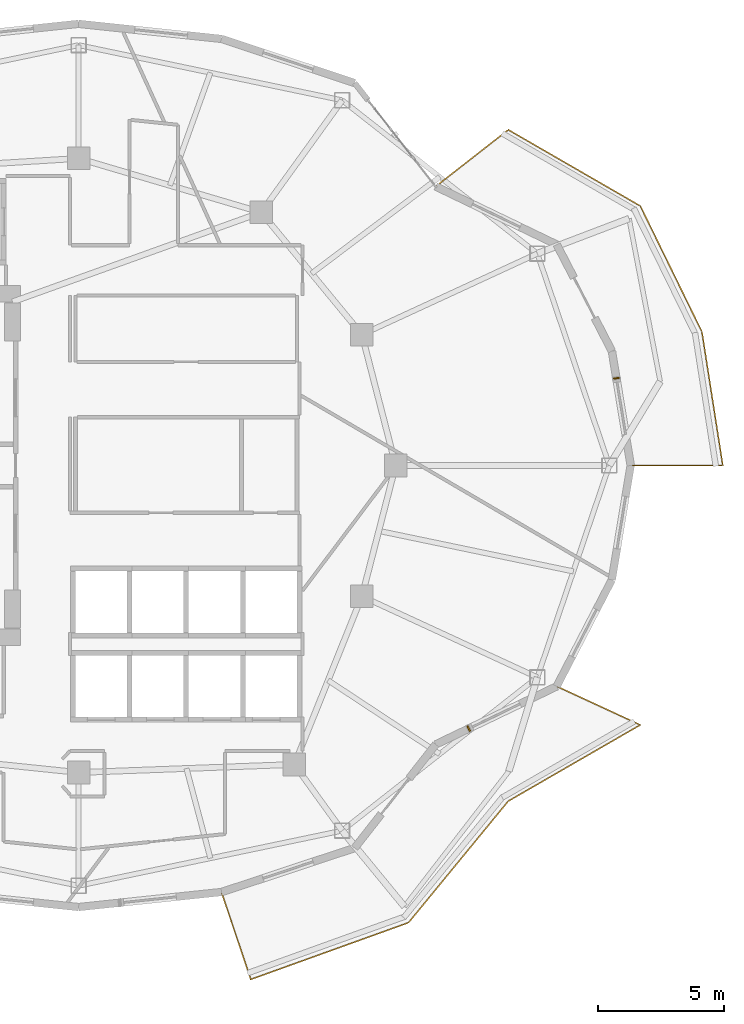
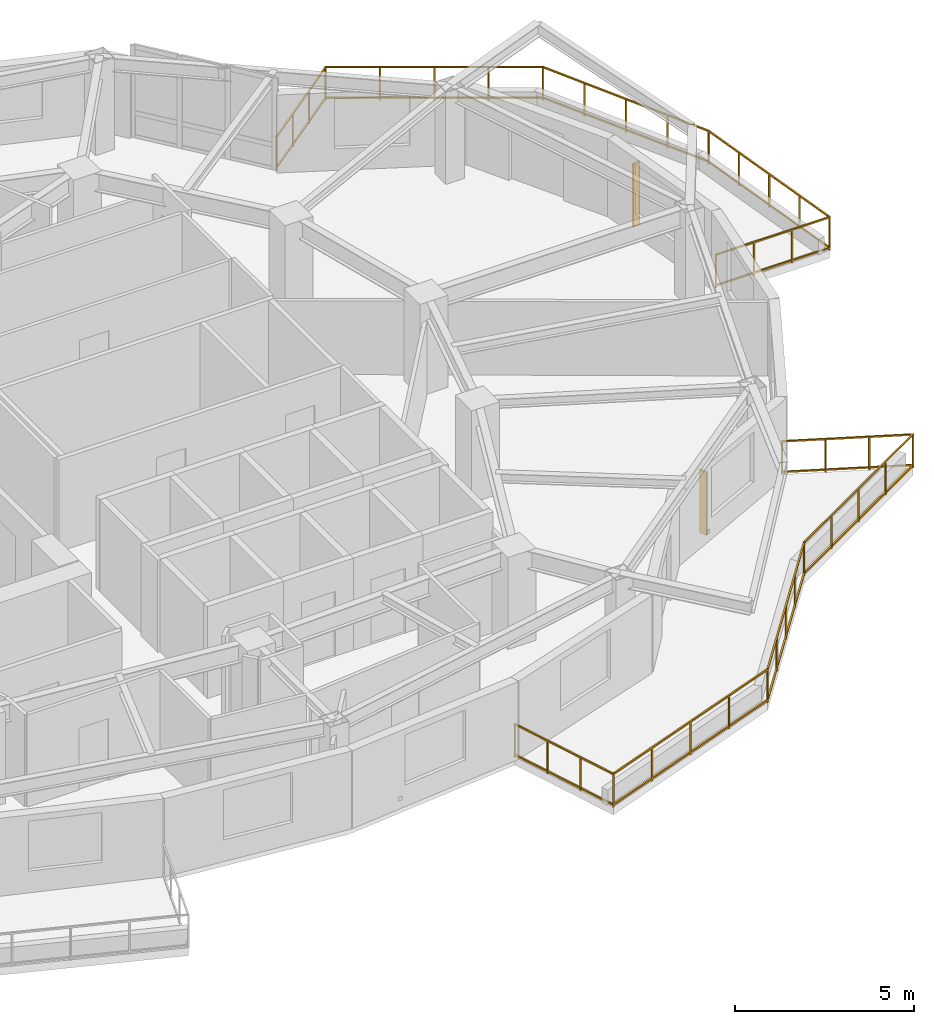
# One storey, part 12 of 13: 2 railings, 2 shading devices.
"""IFC4 building model written with IfcOpenShell, lengths in metres."""

from ifc_helpers import new_model, si_unit, direction, frame, origin, origin_2d, place, context, subcontext, project, spatial, rectangle, extrude, material, type_object, element, save


model = new_model("IFC4")

# Units and contexts
model_context = context("Model", 3, precision=1e-05, world=origin(), true_north=direction((0.0, 1.0)))
body_context = subcontext(model_context, "Body", "Model", "MODEL_VIEW")
ifc_project = project(units=[si_unit("LENGTHUNIT", "METRE"), si_unit("AREAUNIT", "SQUARE_METRE"), si_unit("VOLUMEUNIT", "CUBIC_METRE"), si_unit("PLANEANGLEUNIT", "RADIAN"), si_unit("MASSUNIT", "GRAM", prefix="KILO")], contexts=[model_context])

# Site, building, storey
site_placement = place(None, origin())
site = spatial("IfcSite", under=ifc_project, at=site_placement, CompositionType="ELEMENT")
building_placement = place(site_placement, origin())
building = spatial("IfcBuilding", under=site, at=building_placement, Name="Kolvaren Gate Tower and Convention Centre", CompositionType="ELEMENT")
storey_placement = place(building_placement, frame((0.0, 0.0, 142.699951171875)))
storey = spatial("IfcBuildingStorey", under=building, at=storey_placement, Name="L36", CompositionType="ELEMENT", Elevation=142.699951171875)

# Railings
ifc_material_1 = material(Name="Brushed Stainless Steel Grade 316L", Category="steel")
railing_type = type_object("IfcRailingType", Name="ARCH-RL-GUARD-1150", PredefinedType="GUARDRAIL", material=ifc_material_1)
railing_1_placement = place(storey_placement, frame((52.0625, 27.0, 0.0)))
element("IfcRailing", 1, at=railing_1_placement, inside=storey, type_object=railing_type, Name="Tower L36 Terrace Perimeter Guardrail GR-1", PredefinedType="GUARDRAIL", context=body_context, shape_type="SweptSolid", body=[
    extrude(rectangle(XDim=0.048095703125, YDim=0.048095703125, at=origin_2d()), frame((0.028076171875, 0.0, 1.1259765625), z_axis=(1.0, 0.0, 0.0), x_axis=(0.0, 1.0, 0.0)), (0.0, 0.0, 1.0), 3.603759765625),
    extrude(rectangle(XDim=0.048095703125, YDim=0.048095703125, at=origin_2d()), frame((0.028076171875, 0.0, 0.083984375), z_axis=(1.0, 0.0, 0.0), x_axis=(0.0, 1.0, 0.0)), (0.0, 0.0, 1.0), 3.603759765625),
    extrude(rectangle(XDim=0.048095703125, YDim=0.048095703125, at=origin_2d()), frame((3.655517578125, 0.02783203125, 1.1259765625), z_axis=(-0.154200861408, 0.988039520637, 0.0), x_axis=(-0.988039520637, -0.154200861408, 0.0)), (0.0, 0.0, 1.0), 5.3173828125),
    extrude(rectangle(XDim=0.048095703125, YDim=0.048095703125, at=origin_2d()), frame((3.655517578125, 0.02783203125, 0.083984375), z_axis=(-0.154200861408, 0.988039520637, 0.0), x_axis=(-0.988039520637, -0.154200861408, 0.0)), (0.0, 0.0, 1.0), 5.3173828125),
    extrude(rectangle(XDim=0.048095703125, YDim=0.048095703125, at=origin_2d()), frame((2.81884765625, 5.33447265625, 1.1259765625), z_axis=(-0.439655234701, 0.898166618507, 0.0), x_axis=(-0.898166618507, -0.439655234701, 0.0)), (0.0, 0.0, 1.0), 5.51123046875),
    extrude(rectangle(XDim=0.048095703125, YDim=0.048095703125, at=origin_2d()), frame((2.81884765625, 5.33447265625, 0.083984375), z_axis=(-0.439655234701, 0.898166618507, 0.0), x_axis=(-0.898166618507, -0.439655234701, 0.0)), (0.0, 0.0, 1.0), 5.51123046875),
    extrude(rectangle(XDim=0.048095703125, YDim=0.048095703125, at=origin_2d()), frame((0.359375, 10.32373046875, 1.1259765625), z_axis=(-0.866075571306, 0.499913097234, 0.0), x_axis=(-0.499913097234, -0.866075571306, 0.0)), (0.0, 0.0, 1.0), 6.004150390625),
    extrude(rectangle(XDim=0.048095703125, YDim=0.048095703125, at=origin_2d()), frame((0.359375, 10.32373046875, 0.083984375), z_axis=(-0.866075571306, 0.499913097234, 0.0), x_axis=(-0.499913097234, -0.866075571306, 0.0)), (0.0, 0.0, 1.0), 6.004150390625),
    extrude(rectangle(XDim=0.048095703125, YDim=0.048095703125, at=origin_2d()), frame((-4.88720703125, 13.322021484375, 1.1259765625), z_axis=(-0.787988976981, -0.61568934712, 0.0), x_axis=(0.61568934712, -0.787988976981, 0.0)), (0.0, 0.0, 1.0), 3.60400390625),
    extrude(rectangle(XDim=0.048095703125, YDim=0.048095703125, at=origin_2d()), frame((-4.88720703125, 13.322021484375, 0.083984375), z_axis=(-0.787988976981, -0.61568934712, 0.0), x_axis=(0.61568934712, -0.787988976981, 0.0)), (0.0, 0.0, 1.0), 3.60400390625),
    extrude(rectangle(XDim=0.0419921875, YDim=0.0419921875, at=origin_2d()), origin(), (0.0, 0.0, 1.0), 1.14990234375),
    extrude(rectangle(XDim=0.0419921875, YDim=0.0419921875, at=origin_2d()), frame((3.659912109375, 0.0, 0.0)), (0.0, 0.0, 1.0), 1.14990234375),
    extrude(rectangle(XDim=0.0419921875, YDim=0.0419921875, at=origin_2d()), frame((1.219970703125, 0.0, 0.0)), (0.0, 0.0, 1.0), 1.099853515625),
    extrude(rectangle(XDim=0.0419921875, YDim=0.0419921875, at=origin_2d()), frame((2.43994140625, 0.0, 0.0)), (0.0, 0.0, 1.0), 1.099853515625),
    extrude(rectangle(XDim=0.0419921875, YDim=0.0419921875, at=origin_2d()), frame((2.831298828125, 5.309326171875, 0.0)), (0.0, 0.0, 1.0), 1.14990234375),
    extrude(rectangle(XDim=0.0419921875, YDim=0.0419921875, at=origin_2d()), frame((3.45263671875, 1.327392578125, 0.0)), (0.0, 0.0, 1.0), 1.099853515625),
    extrude(rectangle(XDim=0.0419921875, YDim=0.0419921875, at=origin_2d()), frame((3.24560546875, 2.65478515625, 0.0)), (0.0, 0.0, 1.0), 1.099853515625),
    extrude(rectangle(XDim=0.0419921875, YDim=0.0419921875, at=origin_2d()), frame((3.03857421875, 3.98193359375, 0.0)), (0.0, 0.0, 1.0), 1.099853515625),
    extrude(rectangle(XDim=0.0419921875, YDim=0.0419921875, at=origin_2d()), frame((0.383544921875, 10.309814453125, 0.0)), (0.0, 0.0, 1.0), 1.14990234375),
    extrude(rectangle(XDim=0.0419921875, YDim=0.0419921875, at=origin_2d()), frame((2.21923828125, 6.5595703125, 0.0)), (0.0, 0.0, 1.0), 1.099853515625),
    extrude(rectangle(XDim=0.0419921875, YDim=0.0419921875, at=origin_2d()), frame((1.607421875, 7.8095703125, 0.0)), (0.0, 0.0, 1.0), 1.099853515625),
    extrude(rectangle(XDim=0.0419921875, YDim=0.0419921875, at=origin_2d()), frame((0.99560546875, 9.0595703125, 0.0)), (0.0, 0.0, 1.0), 1.099853515625),
    extrude(rectangle(XDim=0.0419921875, YDim=0.0419921875, at=origin_2d()), frame((-4.864990234375, 13.33935546875, 0.0)), (0.0, 0.0, 1.0), 1.14990234375),
    extrude(rectangle(XDim=0.0419921875, YDim=0.0419921875, at=origin_2d()), frame((-0.9287109375, 11.067138671875, 0.0)), (0.0, 0.0, 1.0), 1.099853515625),
    extrude(rectangle(XDim=0.0419921875, YDim=0.0419921875, at=origin_2d()), frame((-2.24072265625, 11.82470703125, 0.0)), (0.0, 0.0, 1.0), 1.099853515625),
    extrude(rectangle(XDim=0.0419921875, YDim=0.0419921875, at=origin_2d()), frame((-3.552734375, 12.58203125, 0.0)), (0.0, 0.0, 1.0), 1.099853515625),
    extrude(rectangle(XDim=0.0419921875, YDim=0.0419921875, at=origin_2d()), frame((-7.7490234375, 11.0859375, 0.0)), (0.0, 0.0, 1.0), 1.14990234375),
    extrude(rectangle(XDim=0.0419921875, YDim=0.0419921875, at=origin_2d()), frame((-5.826416015625, 12.588134765625, 0.0)), (0.0, 0.0, 1.0), 1.099853515625),
    extrude(rectangle(XDim=0.0419921875, YDim=0.0419921875, at=origin_2d()), frame((-6.78759765625, 11.837158203125, 0.0)), (0.0, 0.0, 1.0), 1.099853515625),
])
railing_2_placement = place(storey_placement, frame((35.802734375, 10.048095703125, 0.0)))
element("IfcRailing", 2, at=railing_2_placement, inside=storey, type_object=railing_type, Name="Tower L36 Terrace Perimeter Guardrail GR-4", PredefinedType="GUARDRAIL", context=body_context, shape_type="SweptSolid", body=[
    extrude(rectangle(XDim=0.048095703125, YDim=0.048095703125, at=origin_2d()), frame((0.0087890625, -0.026611328125, 1.1259765625), z_axis=(0.317568160167, -0.94823544737, 0.0), x_axis=(0.94823544737, 0.317568160167, 0.0)), (0.0, 0.0, 1.0), 3.60400390625),
    extrude(rectangle(XDim=0.048095703125, YDim=0.048095703125, at=origin_2d()), frame((0.0087890625, -0.026611328125, 0.083984375), z_axis=(0.317568160167, -0.94823544737, 0.0), x_axis=(0.94823544737, 0.317568160167, 0.0)), (0.0, 0.0, 1.0), 3.60400390625),
    extrude(rectangle(XDim=0.048095703125, YDim=0.048095703125, at=origin_2d()), frame((1.188720703125, -3.461181640625, 1.1259765625), z_axis=(0.940948576924, 0.338549517184, 0.0), x_axis=(-0.338549517184, 0.940948576924, 0.0)), (0.0, 0.0, 1.0), 6.60791015625),
    extrude(rectangle(XDim=0.048095703125, YDim=0.048095703125, at=origin_2d()), frame((1.188720703125, -3.461181640625, 0.083984375), z_axis=(0.940948576924, 0.338549517184, 0.0), x_axis=(-0.338549517184, 0.940948576924, 0.0)), (0.0, 0.0, 1.0), 6.60791015625),
    extrude(rectangle(XDim=0.048095703125, YDim=0.048095703125, at=origin_2d()), frame((7.45068359375, -1.19287109375, 1.1259765625), z_axis=(0.634429234628, 0.77298094818, 0.0), x_axis=(-0.77298094818, 0.634429234628, 0.0)), (0.0, 0.0, 1.0), 6.188720703125),
    extrude(rectangle(XDim=0.048095703125, YDim=0.048095703125, at=origin_2d()), frame((7.45068359375, -1.19287109375, 0.083984375), z_axis=(0.634429234628, 0.77298094818, 0.0), x_axis=(-0.77298094818, 0.634429234628, 0.0)), (0.0, 0.0, 1.0), 6.188720703125),
    extrude(rectangle(XDim=0.048095703125, YDim=0.048095703125, at=origin_2d()), frame((11.4189453125, 3.62646484375, 1.1259765625), z_axis=(0.866075571306, 0.499913097234, 0.0), x_axis=(-0.499913097234, 0.866075571306, 0.0)), (0.0, 0.0, 1.0), 6.004150390625),
    extrude(rectangle(XDim=0.048095703125, YDim=0.048095703125, at=origin_2d()), frame((11.4189453125, 3.62646484375, 0.083984375), z_axis=(0.866075571306, 0.499913097234, 0.0), x_axis=(-0.499913097234, 0.866075571306, 0.0)), (0.0, 0.0, 1.0), 6.004150390625),
    extrude(rectangle(XDim=0.048095703125, YDim=0.048095703125, at=origin_2d()), frame((16.617919921875, 6.65380859375, 1.1259765625), z_axis=(-0.907820723829, 0.419358478377, 0.0), x_axis=(-0.419358478377, -0.907820723829, 0.0)), (0.0, 0.0, 1.0), 3.60400390625),
    extrude(rectangle(XDim=0.048095703125, YDim=0.048095703125, at=origin_2d()), frame((16.617919921875, 6.65380859375, 0.083984375), z_axis=(-0.907820723829, 0.419358478377, 0.0), x_axis=(-0.419358478377, -0.907820723829, 0.0)), (0.0, 0.0, 1.0), 3.60400390625),
    extrude(rectangle(XDim=0.0419921875, YDim=0.0419921875, at=origin_2d()), origin(), (0.0, 0.0, 1.0), 1.14990234375),
    extrude(rectangle(XDim=0.0419921875, YDim=0.0419921875, at=origin_2d()), frame((1.162353515625, -3.470703125, 0.0)), (0.0, 0.0, 1.0), 1.14990234375),
    extrude(rectangle(XDim=0.0419921875, YDim=0.0419921875, at=origin_2d()), frame((0.387451171875, -1.156982421875, 0.0)), (0.0, 0.0, 1.0), 1.099853515625),
    extrude(rectangle(XDim=0.0419921875, YDim=0.0419921875, at=origin_2d()), frame((0.77490234375, -2.313720703125, 0.0)), (0.0, 0.0, 1.0), 1.099853515625),
    extrude(rectangle(XDim=0.0419921875, YDim=0.0419921875, at=origin_2d()), frame((7.432861328125, -1.214599609375, 0.0)), (0.0, 0.0, 1.0), 1.14990234375),
    extrude(rectangle(XDim=0.0419921875, YDim=0.0419921875, at=origin_2d()), frame((2.72998046875, -2.90673828125, 0.0)), (0.0, 0.0, 1.0), 1.099853515625),
    extrude(rectangle(XDim=0.0419921875, YDim=0.0419921875, at=origin_2d()), frame((4.297607421875, -2.3427734375, 0.0)), (0.0, 0.0, 1.0), 1.099853515625),
    extrude(rectangle(XDim=0.0419921875, YDim=0.0419921875, at=origin_2d()), frame((5.865234375, -1.778564453125, 0.0)), (0.0, 0.0, 1.0), 1.099853515625),
    extrude(rectangle(XDim=0.0419921875, YDim=0.0419921875, at=origin_2d()), frame((11.394775390625, 3.612548828125, 0.0)), (0.0, 0.0, 1.0), 1.14990234375),
    extrude(rectangle(XDim=0.0419921875, YDim=0.0419921875, at=origin_2d()), frame((8.42333984375, -0.0078125, 0.0)), (0.0, 0.0, 1.0), 1.099853515625),
    extrude(rectangle(XDim=0.0419921875, YDim=0.0419921875, at=origin_2d()), frame((9.413818359375, 1.198974609375, 0.0)), (0.0, 0.0, 1.0), 1.099853515625),
    extrude(rectangle(XDim=0.0419921875, YDim=0.0419921875, at=origin_2d()), frame((10.404296875, 2.40576171875, 0.0)), (0.0, 0.0, 1.0), 1.099853515625),
    extrude(rectangle(XDim=0.0419921875, YDim=0.0419921875, at=origin_2d()), frame((16.643310546875, 6.64208984375, 0.0)), (0.0, 0.0, 1.0), 1.14990234375),
    extrude(rectangle(XDim=0.0419921875, YDim=0.0419921875, at=origin_2d()), frame((12.70703125, 4.369873046875, 0.0)), (0.0, 0.0, 1.0), 1.099853515625),
    extrude(rectangle(XDim=0.0419921875, YDim=0.0419921875, at=origin_2d()), frame((14.01904296875, 5.12744140625, 0.0)), (0.0, 0.0, 1.0), 1.099853515625),
    extrude(rectangle(XDim=0.0419921875, YDim=0.0419921875, at=origin_2d()), frame((15.3310546875, 5.884765625, 0.0)), (0.0, 0.0, 1.0), 1.099853515625),
    extrude(rectangle(XDim=0.0419921875, YDim=0.0419921875, at=origin_2d()), frame((13.320556640625, 8.177001953125, 0.0)), (0.0, 0.0, 1.0), 1.14990234375),
    extrude(rectangle(XDim=0.0419921875, YDim=0.0419921875, at=origin_2d()), frame((15.53564453125, 7.15380859375, 0.0)), (0.0, 0.0, 1.0), 1.099853515625),
    extrude(rectangle(XDim=0.0419921875, YDim=0.0419921875, at=origin_2d()), frame((14.42822265625, 7.665283203125, 0.0)), (0.0, 0.0, 1.0), 1.099853515625),
])

# Shading devices
ifc_material_2 = material(Name="Kiln-Fired Bogota Terracotta Ceramic Louvre Profile", Category="masonry")
shading_device_type = type_object("IfcShadingDeviceType", Name="ARCH-SHD-FIN-180", PredefinedType="JALOUSIE", material=ifc_material_2)
for number, where, z_axis, x_axis, name in (
    (3, (51.4921875, 30.46484375, 0.22021484375), (0.0, 0.0, 1.0), (0.162380568014, -0.986728205298, 0.0), "Ceramic Vertical Brise-Soleil Fin FN-L36-00"),
    (4, (45.627685546875, 16.54541015625, 0.22021484375), (0.0, 0.0, 1.0), (0.901358389955, 0.433073957723, 0.0), "Ceramic Vertical Brise-Soleil Fin FN-L36-21"),
):
    element("IfcShadingDevice", number, at=place(storey_placement, frame(where, z_axis=z_axis, x_axis=x_axis)), inside=storey, type_object=shading_device_type, Name=name, PredefinedType="JALOUSIE", context=body_context, shape_type="SweptSolid", body=[
        extrude(rectangle(XDim=0.06005859375, YDim=0.239990234375, at=origin_2d()), origin(), (0.0, 0.0, 1.0), 2.14990234375),
    ])

save(model, "model.ifc")
